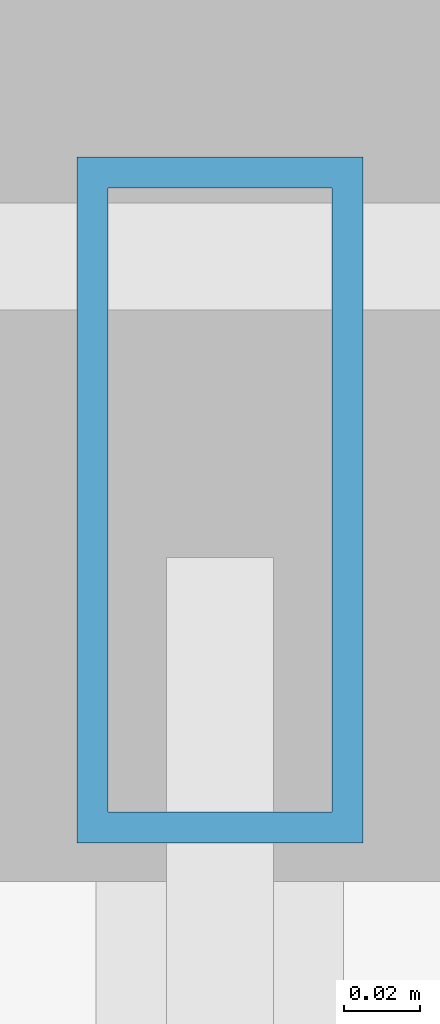
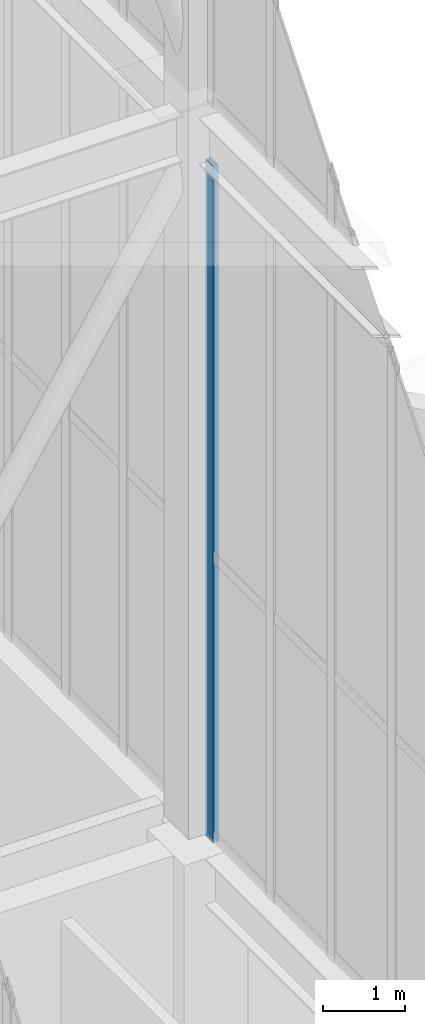
# One storey, part 83 of 135: 1 member, 1 element without a shape of its own.
"""IFC4 building model written with IfcOpenShell, lengths in metres."""

from ifc_helpers import new_model, si_unit, direction, frame, origin, origin_2d, place, context, subcontext, project, spatial, hollow_rectangle, extrude, source, transform, mapped, material, layer, layer_set, material_profile, profile_set, type_object, element, aggregate, save


model = new_model("IFC4")

# Units and contexts
model_context = context("Model", 3, precision=1e-05, world=origin(), true_north=direction((0.0, 1.0)))
body_context = subcontext(model_context, "Body", "Model", "MODEL_VIEW")
ifc_project = project(units=[si_unit("LENGTHUNIT", "METRE"), si_unit("AREAUNIT", "SQUARE_METRE"), si_unit("VOLUMEUNIT", "CUBIC_METRE"), si_unit("PLANEANGLEUNIT", "RADIAN"), si_unit("MASSUNIT", "GRAM", prefix="KILO")], contexts=[model_context])

# Site, building, storey
site_placement = place(None, origin())
site = spatial("IfcSite", under=ifc_project, at=site_placement, CompositionType="ELEMENT")
building_placement = place(site_placement, origin())
building = spatial("IfcBuilding", under=site, at=building_placement, Name="Giltprow Tower", CompositionType="ELEMENT")
storey_placement = place(building_placement, frame((0.0, 0.0, 352.699951171875)))
storey = spatial("IfcBuildingStorey", under=building, at=storey_placement, Name="L92", CompositionType="ELEMENT", Elevation=352.699951171875)

# Curtain wall, member
ifc_material = material(Name="Anodized bronze", Category="metal")
ifc_layer = layer(ifc_material, 0.179931640625, Name="Anodized bronze")
ifc_layer_set = layer_set([ifc_layer], Name="Anodized bronze")
curtain_wall_type = type_object("IfcCurtainWallType", Name="CW-CROWN-LANTERN", PredefinedType="NOTDEFINED", material=ifc_layer_set)
curtain_wall_placement = place(storey_placement, origin())
curtain_wall = element("IfcCurtainWall", 1, at=curtain_wall_placement, inside=storey, type_object=curtain_wall_type, Name="Crown East Lower Lantern Glazing 2", PredefinedType="NOTDEFINED")
ifc_material_profile = material_profile(ifc_material, hollow_rectangle(XDim=0.074951171875, YDim=0.179931640625, WallThickness=0.008056640625, at=origin_2d()), Name="RHS 180x75x8")
ifc_profile_set = profile_set([ifc_material_profile], Name="Anodized bronze")
member_type = type_object("IfcMemberType", Name="CW-MULLION-180x75", PredefinedType="MULLION", material=ifc_profile_set)
shared_shape = source(origin(), body_context, "Body", "SweptSolid", [
    extrude(hollow_rectangle(XDim=0.074951171875, YDim=0.179931640625, WallThickness=0.008056640625, at=origin_2d()), origin(), (0.0, 0.0, 1.0), 10.030029296875),
])
member_placement = place(storey_placement, frame((50.550048828125, 37.10009765625, 6.35009765625), z_axis=(0.0, 0.0, 1.0), x_axis=(1.0, 0.0, 0.0)))
member = element("IfcMember", 2, at=member_placement, type_object=member_type, Name="Crown East Lower Lantern Glazing 2 Mullion 10", PredefinedType="MULLION", context=body_context, shape_type="MappedRepresentation", body=[
    mapped(shared_shape, transform((0.0, 0.0, 0.0), x_axis=(1.0, 0.0, 0.0), y_axis=(0.0, 1.0, 0.0), z_axis=(0.0, 0.0, 1.0), scale=1.0)),
])
aggregate(curtain_wall, [member])

save(model, "model.ifc")
